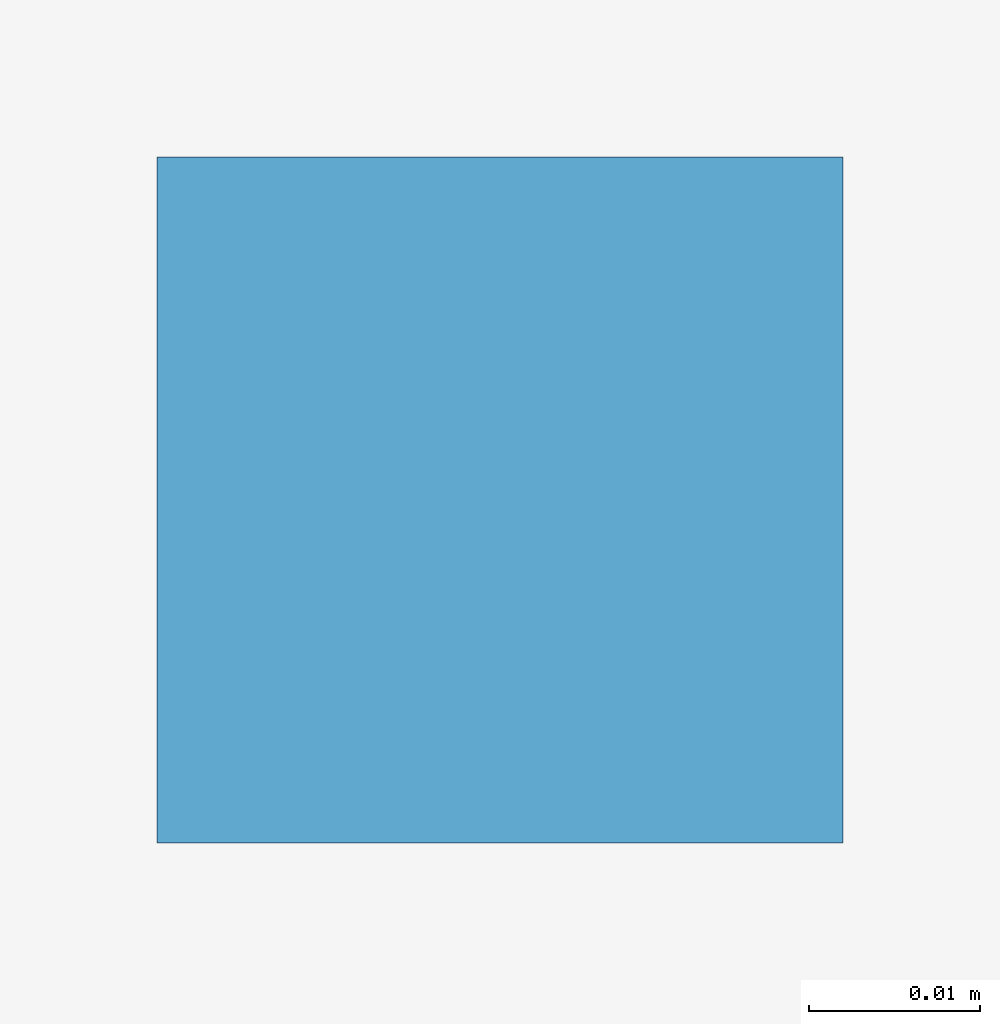
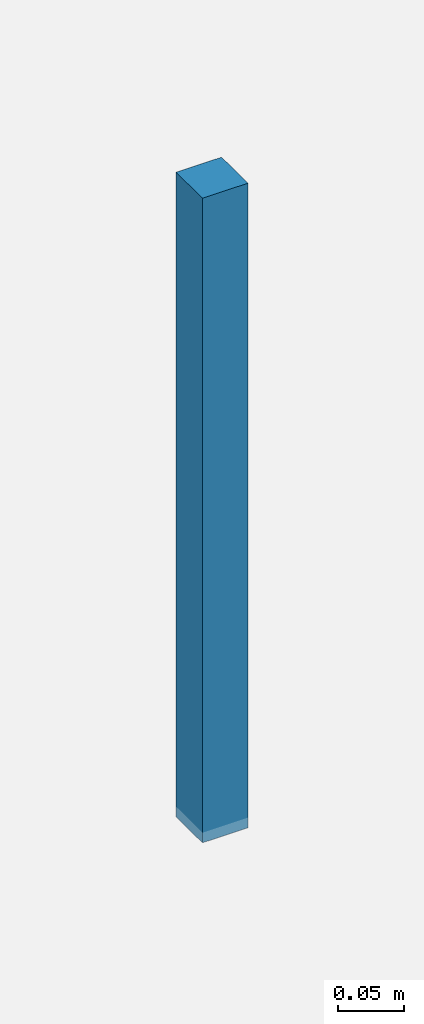
# One storey, part 56 of 74: 1 discrete accessory.
"""IFC4 building model written with IfcOpenShell, lengths in metres."""

from ifc_helpers import new_model, si_unit, direction, frame, origin, origin_2d, place, context, subcontext, project, spatial, rectangle, extrude, material, type_object, element, save


model = new_model("IFC4")

# Units and contexts
model_context = context("Model", 3, precision=1e-05, world=origin(), true_north=direction((0.0, 1.0)))
body_context = subcontext(model_context, "Body", "Model", "MODEL_VIEW")
ifc_project = project(units=[si_unit("LENGTHUNIT", "METRE"), si_unit("AREAUNIT", "SQUARE_METRE"), si_unit("VOLUMEUNIT", "CUBIC_METRE"), si_unit("PLANEANGLEUNIT", "RADIAN"), si_unit("MASSUNIT", "GRAM", prefix="KILO")], contexts=[model_context])

# Site, building, storey
site_placement = place(None, origin())
site = spatial("IfcSite", under=ifc_project, at=site_placement, CompositionType="ELEMENT")
building_placement = place(site_placement, origin())
building = spatial("IfcBuilding", under=site, at=building_placement, Name="Alvorim Cloister Faculty of Sciences", CompositionType="ELEMENT")
storey_placement = place(building_placement, frame((0.0, 0.0, 15.75)))
storey = spatial("IfcBuildingStorey", under=building, at=storey_placement, Name="L04", CompositionType="ELEMENT", Elevation=15.75)

# Discrete accessory
ifc_material = material(Name="Galvanised Painted Steel", Category="steel")
discrete_accessory_type = type_object("IfcDiscreteAccessoryType", Name="ACC-CEIL-ROD", PredefinedType="BRACKET", material=ifc_material)
discrete_accessory_placement = place(storey_placement, frame((80.25, 23.050048828125, 2.81005859375), z_axis=(0.0, 0.0, 1.0), x_axis=(1.0, 0.0, 0.0)))
element("IfcDiscreteAccessory", 1, at=discrete_accessory_placement, inside=storey, type_object=discrete_accessory_type, Name="Ceiling Suspension Bracket ACC-ROD-031", PredefinedType="BRACKET", context=body_context, shape_type="SweptSolid", body=[
    extrude(rectangle(XDim=0.0400390625, YDim=0.0400390625, at=origin_2d()), origin(), (0.0, 0.0, 1.0), 0.599853515625),
])

save(model, "model.ifc")
